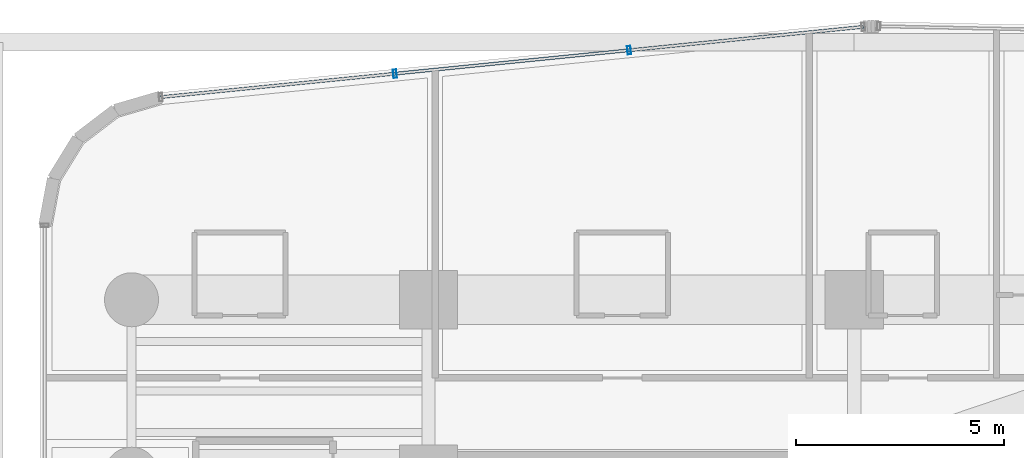
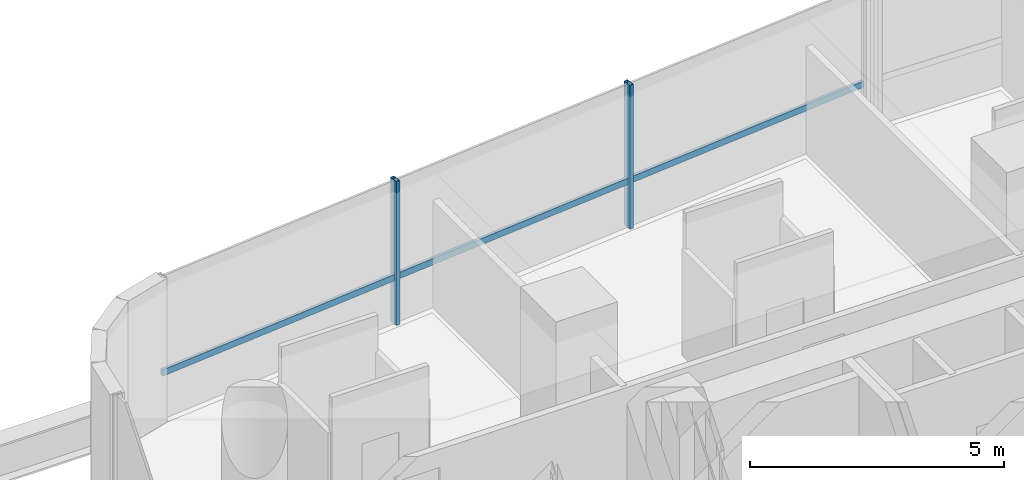
# One storey, part 23 of 50: 3 members, 1 element without a shape of its own.
"""IFC4 building model written with IfcOpenShell, lengths in metres."""

import ifcopenshell
import ifcopenshell.guid

model = None  # the IFC model being written
_history = None  # IfcOwnerHistory: only IFC2X3 demands one
_inside = {}  # id of a spatial element -> (the spatial element, [elements in it])
_under = {}  # id of a project, library or spatial element -> (it, [spatial elements below it])
_declared = {}  # id of a project -> (the project, [libraries it declares])
_typed = {}  # id of a type object -> (the type object, [elements of that type])
_made_of = {}  # id of a material, layer set ... -> (it, [elements and type objects made of it])


def new_model(schema):
    """Start an empty IFC model of exactly this schema.

    Asked for "IFC4X3", IfcOpenShell would pick the latest addendum, in which some entities
    have other attributes; the version numbers below select the first issue.
    IFC2X3 requires an IfcOwnerHistory on every rooted entity: one is made here for all.
    """
    global model, _history
    if schema == "IFC4X3":
        model = ifcopenshell.file(schema_version=(4, 3, 0, 0))
    else:
        model = ifcopenshell.file(schema=schema)
    _inside.clear()
    _under.clear()
    _declared.clear()
    _typed.clear()
    _made_of.clear()
    _history = None
    if model.schema == "IFC2X3":
        org = make("IfcOrganization", Name="unknown")
        user = make(
            "IfcPersonAndOrganization",
            ThePerson=make("IfcPerson", FamilyName="unknown"),
            TheOrganization=org,
        )
        app = make(
            "IfcApplication",
            ApplicationDeveloper=org,
            Version="unknown",
            ApplicationFullName="unknown",
            ApplicationIdentifier="unknown",
        )
        _history = make(
            "IfcOwnerHistory",
            OwningUser=user,
            OwningApplication=app,
            ChangeAction="ADDED",
            CreationDate=0,
        )
    return model


def make(cls, **values):
    """One entity of the class cls with the attributes given. An attribute that is None is left unset."""
    return model.create_entity(
        cls, **{name: value for name, value in values.items() if value is not None}
    )


def rooted(cls, **values):
    """An entity with a GlobalId (a new one), such as an element, a storey or a relation."""
    return make(cls, GlobalId=ifcopenshell.guid.new(), OwnerHistory=_history, **values)


def si_unit(unit_type, name, prefix=None):
    """IfcSIUnit, for example si_unit("LENGTHUNIT", "METRE", prefix="MILLI")."""
    return make("IfcSIUnit", UnitType=unit_type, Prefix=prefix, Name=name)


def assignment(units):
    """IfcUnitAssignment: the units of a project."""
    return None if units is None else make("IfcUnitAssignment", Units=units)


def point(xyz):
    """IfcCartesianPoint."""
    return None if xyz is None else make("IfcCartesianPoint", Coordinates=xyz)


def direction(xyz):
    """IfcDirection."""
    return None if xyz is None else make("IfcDirection", DirectionRatios=xyz)


def frame(location, z_axis=None, x_axis=None):
    """IfcAxis2Placement3D, a coordinate frame: its origin and axes. An axis left out is left unset."""
    return make(
        "IfcAxis2Placement3D",
        Location=point(location),
        Axis=direction(z_axis),
        RefDirection=direction(x_axis),
    )


def frame_2d(location, x_axis=None):
    """IfcAxis2Placement2D, a coordinate frame in the plane: its origin and x axis."""
    return make(
        "IfcAxis2Placement2D", Location=point(location), RefDirection=direction(x_axis)
    )


def origin():
    """The frame at (0, 0, 0) with its axes left unset."""
    return frame((0.0, 0.0, 0.0))


def origin_2d():
    """The frame at (0, 0) in the plane with its x axis left unset."""
    return frame_2d((0.0, 0.0))


def place(relative_to, where):
    """IfcLocalPlacement: puts the frame where relative to a parent placement (None: the world)."""
    return make(
        "IfcLocalPlacement", PlacementRelTo=relative_to, RelativePlacement=where
    )


def context(
    kind, dimensions, precision=None, world=None, true_north=None, identifier=None
):
    """IfcGeometricRepresentationContext, for example the 3D "Model" context."""
    return make(
        "IfcGeometricRepresentationContext",
        ContextIdentifier=identifier,
        ContextType=kind,
        CoordinateSpaceDimension=dimensions,
        Precision=precision,
        WorldCoordinateSystem=world,
        TrueNorth=true_north,
    )


def subcontext(parent, identifier, kind, view, scale=None):
    """IfcGeometricRepresentationSubContext, for example "Body" below "Model"."""
    return make(
        "IfcGeometricRepresentationSubContext",
        ContextIdentifier=identifier,
        ContextType=kind,
        ParentContext=parent,
        TargetScale=scale,
        TargetView=view,
    )


def project(units=None, contexts=None):
    """IfcProject with its units and contexts."""
    return rooted(
        "IfcProject",
        Name="project",
        RepresentationContexts=contexts,
        UnitsInContext=assignment(units),
    )


def spatial(cls, under=None, at=None, **own):
    """A site, building, storey or space (cls), placed at a placement, below another one or the project."""
    s = rooted(cls, ObjectPlacement=at, **own)
    if under is not None:
        _under.setdefault(under.id(), (under, []))[1].append(s)
    return s


def profile(cls, at=None, kind="AREA", **sizes):
    """A parametric profile (cls). Its sizes go by their IFC names, for example OverallWidth=200.0."""
    return make(cls, ProfileType=kind, Position=at, **sizes)


def hollow_rectangle(**sizes):
    """IfcRectangleHollowProfileDef."""
    return profile("IfcRectangleHollowProfileDef", **sizes)


def extrude(swept, where, along, depth):
    """IfcExtrudedAreaSolid: the profile swept, set in the frame where, extruded along a direction by depth."""
    return make(
        "IfcExtrudedAreaSolid",
        SweptArea=swept,
        Position=where,
        ExtrudedDirection=direction(along),
        Depth=depth,
    )


def shape(context_of_items, identifier, shape_type, items):
    """IfcShapeRepresentation: the items that make up one representation, for example the "Body"."""
    return make(
        "IfcShapeRepresentation",
        ContextOfItems=context_of_items,
        RepresentationIdentifier=identifier,
        RepresentationType=shape_type,
        Items=items,
    )


def source(mapping_origin, context_of_items, identifier, shape_type, items):
    """IfcRepresentationMap: a shape defined once, which mapped items show again and again."""
    return make(
        "IfcRepresentationMap",
        MappingOrigin=mapping_origin,
        MappedRepresentation=shape(context_of_items, identifier, shape_type, items),
    )


def transform(
    local_origin,
    x_axis=None,
    y_axis=None,
    z_axis=None,
    scale=None,
    scale2=None,
    scale3=None,
    uniform=True,
):
    """IfcCartesianTransformationOperator3D, or its non-uniform kind. x_axis, y_axis, z_axis: its Axis1, 2, 3."""
    if uniform:
        return make(
            "IfcCartesianTransformationOperator3D",
            Axis1=direction(x_axis),
            Axis2=direction(y_axis),
            LocalOrigin=point(local_origin),
            Scale=scale,
            Axis3=direction(z_axis),
        )
    return make(
        "IfcCartesianTransformationOperator3DnonUniform",
        Axis1=direction(x_axis),
        Axis2=direction(y_axis),
        LocalOrigin=point(local_origin),
        Scale=scale,
        Axis3=direction(z_axis),
        Scale2=scale2,
        Scale3=scale3,
    )


def mapped(mapping_source, mapping_target):
    """IfcMappedItem: shows the shape of a source again, moved by a transform."""
    return make(
        "IfcMappedItem", MappingSource=mapping_source, MappingTarget=mapping_target
    )


def material(Name=None, Category=None):
    """IfcMaterial."""
    return make("IfcMaterial", Name=Name, Category=Category)


def material_profile(
    of_material, cross_section, Name=None, Category=None, Priority=None
):
    """IfcMaterialProfile: a cross section and its material."""
    return make(
        "IfcMaterialProfile",
        Name=Name,
        Material=of_material,
        Profile=cross_section,
        Priority=Priority,
        Category=Category,
    )


def profile_set(profiles, Name=None, composite=None):
    """IfcMaterialProfileSet."""
    return make(
        "IfcMaterialProfileSet",
        Name=Name,
        MaterialProfiles=profiles,
        CompositeProfile=composite,
    )


def made_of(thing, what):
    """Note that an element or type object is made of a material, layer set ...; save() writes the relation."""
    if what is not None:
        _made_of.setdefault(what.id(), (what, []))[1].append(thing)
    return thing


def type_object(cls, material=None, **own):
    """A type object (cls), such as IfcWallType, which elements share."""
    return made_of(rooted(cls, **own), material)


def element(
    cls,
    number,
    at=None,
    inside=None,
    cuts=None,
    type_object=None,
    material=None,
    context=None,
    identifier="Body",
    shape_type=None,
    held_by="IfcProductDefinitionShape",
    body=None,
    shapes=None,
    **own,
):
    """One element of the class cls, such as IfcWall. Its Tag is "e" and its number.

    at: its placement. inside: the storey or other place that contains it. cuts: it is an
    opening in that element (IfcRelVoidsElement). A single representation is given by context,
    identifier, shape_type and body (its items); several are given by shapes. held_by: the class
    of the entity that holds the representations. save() writes the other relations.
    """
    e = rooted(cls, Tag="e%d" % number, ObjectPlacement=at, **own)
    if body is not None:
        shapes = [shape(context, identifier, shape_type, body)]
    if shapes is not None:
        e.Representation = make(held_by, Representations=shapes)
    if inside is not None:
        _inside.setdefault(inside.id(), (inside, []))[1].append(e)
    if cuts is not None:
        rooted(
            "IfcRelVoidsElement", RelatingBuildingElement=cuts, RelatedOpeningElement=e
        )
    if type_object is not None:
        _typed.setdefault(type_object.id(), (type_object, []))[1].append(e)
    return made_of(e, material)


def aggregate(whole, parts):
    """IfcRelAggregates: a whole, such as a stair, and the parts it consists of."""
    return rooted("IfcRelAggregates", RelatingObject=whole, RelatedObjects=parts)


def save(model, path):
    """Write the relations noted so far, then the file.

    IfcRelAggregates (storeys below a building ...), IfcRelContainedInSpatialStructure (elements
    in a storey), IfcRelDefinesByType, IfcRelAssociatesMaterial and IfcRelDeclares: one each for
    every whole, place, type object, material and project.
    """
    for whole, parts in _under.values():
        aggregate(whole, parts)
    for where, things in _inside.values():
        rooted(
            "IfcRelContainedInSpatialStructure",
            RelatedElements=things,
            RelatingStructure=where,
        )
    for kind, things in _typed.values():
        rooted("IfcRelDefinesByType", RelatedObjects=things, RelatingType=kind)
    for what, things in _made_of.values():
        rooted("IfcRelAssociatesMaterial", RelatedObjects=things, RelatingMaterial=what)
    for by, libraries in _declared.values():
        rooted("IfcRelDeclares", RelatingContext=by, RelatedDefinitions=libraries)
    model.write(path)


model = new_model("IFC4")

# Units and contexts
model_context = context("Model", 3, precision=1e-05, world=origin(), true_north=direction((0.0, 1.0)))
body_context = subcontext(model_context, "Body", "Model", "MODEL_VIEW")
ifc_project = project(units=[si_unit("LENGTHUNIT", "METRE"), si_unit("AREAUNIT", "SQUARE_METRE"), si_unit("VOLUMEUNIT", "CUBIC_METRE"), si_unit("PLANEANGLEUNIT", "RADIAN"), si_unit("MASSUNIT", "GRAM", prefix="KILO")], contexts=[model_context])

# Site, building, storey
site_placement = place(None, origin())
site = spatial("IfcSite", under=ifc_project, at=site_placement, CompositionType="ELEMENT")
building_placement = place(site_placement, origin())
building = spatial("IfcBuilding", under=site, at=building_placement, Name="Valdorenza Pilgrim Sanctuary Tower", CompositionType="ELEMENT")
storey_placement = place(building_placement, frame((0.0, 0.0, 26.0)))
storey = spatial("IfcBuildingStorey", under=building, at=storey_placement, Name="L05", CompositionType="ELEMENT", Elevation=26.0)

# Curtain wall, members
ifc_material_1 = material(Name="Curtain-wall IGU glazing", Category="glass")
curtain_wall_type = type_object("IfcCurtainWallType", Name="CW-SYS-02", PredefinedType="NOTDEFINED", material=ifc_material_1)
curtain_wall_placement = place(storey_placement, origin())
curtain_wall = element("IfcCurtainWall", 1, at=curtain_wall_placement, inside=storey, type_object=curtain_wall_type, Name="L05 Curtain Wall CW-L05-1-6", PredefinedType="NOTDEFINED")
ifc_material_2 = material(Name="Anodised aluminium AW-6060", Category="aluminium")
ifc_material_profile_1 = material_profile(ifc_material_2, hollow_rectangle(XDim=0.0849609375, YDim=0.199951171875, WallThickness=0.0048828125, at=origin_2d()), Name="ALU-M 200x85x5")
ifc_profile_set_1 = profile_set([ifc_material_profile_1], Name="Anodised aluminium AW-6060")
member_type_1 = type_object("IfcMemberType", Name="CW-MUL-02", PredefinedType="MULLION", material=ifc_profile_set_1)
shared_shape_1 = source(origin(), body_context, "Body", "SweptSolid", [
    extrude(hollow_rectangle(XDim=0.0849609375, YDim=0.199951171875, WallThickness=0.0048828125, at=origin_2d()), origin(), (0.0, 0.0, 1.0), 3.4599609375),
])
member_1_placement = place(storey_placement, frame((-23.458984375, 20.24365234375, 0.0), z_axis=(0.0, 0.0, 1.0), x_axis=(0.995038220239, 0.099493418189, 0.0)))
member_1 = element("IfcMember", 2, at=member_1_placement, type_object=member_type_1, Name="CW-L05-1-6 Mullion 2", PredefinedType="MULLION", context=body_context, shape_type="MappedRepresentation", body=[
    mapped(shared_shape_1, transform((0.0, 0.0, 0.0), x_axis=(1.0, 0.0, 0.0), y_axis=(0.0, 1.0, 0.0), z_axis=(0.0, 0.0, 1.0), scale=1.0)),
])
member_2_placement = place(storey_placement, frame((-17.820556640625, 20.8076171875, 0.0), z_axis=(0.0, 0.0, 1.0), x_axis=(0.995038220239, 0.099493418189, 0.0)))
member_2 = element("IfcMember", 3, at=member_2_placement, type_object=member_type_1, Name="CW-L05-1-6 Mullion 3", PredefinedType="MULLION", context=body_context, shape_type="MappedRepresentation", body=[
    mapped(shared_shape_1, transform((0.0, 0.0, 0.0), x_axis=(1.0, 0.0, 0.0), y_axis=(0.0, 1.0, 0.0), z_axis=(0.0, 0.0, 1.0), scale=1.0)),
])
ifc_material_profile_2 = material_profile(ifc_material_2, hollow_rectangle(XDim=0.074951171875, YDim=0.14990234375, WallThickness=0.00390625, at=origin_2d()), Name="ALU-T 150x75x4")
ifc_profile_set_2 = profile_set([ifc_material_profile_2], Name="Anodised aluminium AW-6060")
member_type_2 = type_object("IfcMemberType", Name="CW-TRN-02", PredefinedType="USERDEFINED", material=ifc_profile_set_2)
shared_shape_2 = source(origin(), body_context, "Body", "SweptSolid", [
    extrude(hollow_rectangle(XDim=0.074951171875, YDim=0.14990234375, WallThickness=0.00390625, at=origin_2d()), origin(), (0.0, 0.0, 1.0), 17.0),
])
member_3_placement = place(storey_placement, frame((-29.097412109375, 19.6796875, 1.1201171875), z_axis=(0.99503662143, 0.099509406661, 0.0), x_axis=(-0.099509406661, 0.99503662143, 0.0)))
member_3 = element("IfcMember", 4, at=member_3_placement, type_object=member_type_2, Name="CW-L05-1-6 Transom 1", ObjectType="TRANSOM", PredefinedType="USERDEFINED", context=body_context, shape_type="MappedRepresentation", body=[
    mapped(shared_shape_2, transform((0.0, 0.0, 0.0), x_axis=(1.0, 0.0, 0.0), y_axis=(0.0, 1.0, 0.0), z_axis=(0.0, 0.0, 1.0), scale=1.0)),
])
aggregate(curtain_wall, [member_1, member_2, member_3])

save(model, "model.ifc")
